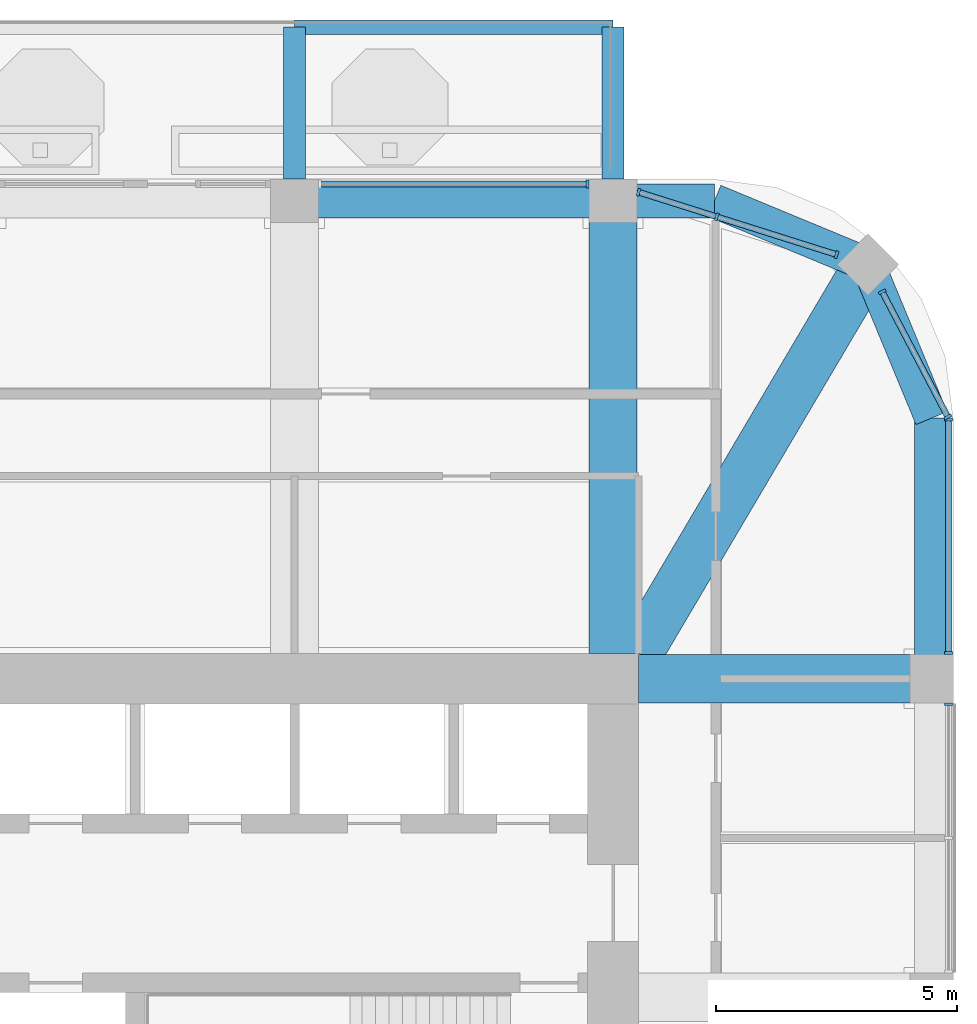
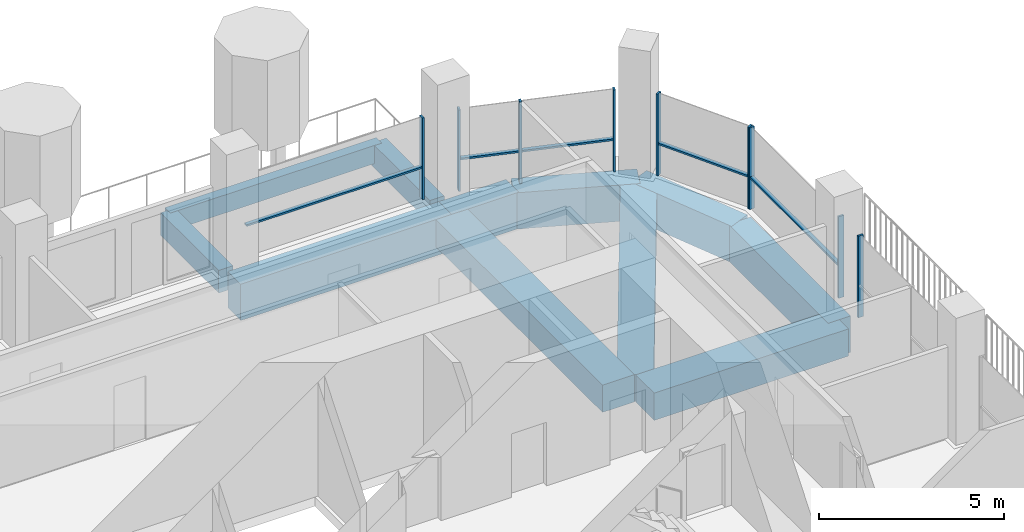
# One storey, part 7 of 21: 14 members, 11 beams, 5 elements without a shape of their own.
"""IFC4 building model written with IfcOpenShell, lengths in metres."""

from ifc_helpers import new_model, si_unit, direction, frame, origin, origin_2d, place, context, subcontext, project, spatial, rectangle, extrude, material, material_profile, profile_set, type_object, element, aggregate, save


model = new_model("IFC4")

# Units and contexts
model_context = context("Model", 3, precision=1e-05, world=origin(), true_north=direction((0.0, 1.0)))
body_context = subcontext(model_context, "Body", "Model", "MODEL_VIEW")
ifc_project = project(units=[si_unit("LENGTHUNIT", "METRE"), si_unit("AREAUNIT", "SQUARE_METRE"), si_unit("VOLUMEUNIT", "CUBIC_METRE"), si_unit("PLANEANGLEUNIT", "RADIAN"), si_unit("MASSUNIT", "GRAM", prefix="KILO")], contexts=[model_context])

# Site, building, storey
site_placement = place(None, origin())
site = spatial("IfcSite", under=ifc_project, at=site_placement, CompositionType="ELEMENT")
building_placement = place(site_placement, origin())
building = spatial("IfcBuilding", under=site, at=building_placement, Name="Cobogo Forest Laboratory Tower", CompositionType="ELEMENT")
storey_placement = place(building_placement, frame((0.0, 0.0, 275.39990234375)))
storey = spatial("IfcBuildingStorey", under=building, at=storey_placement, Name="L63", CompositionType="ELEMENT", Elevation=275.39990234375)

# Beams
ifc_material_1 = material(Name="Concrete HA-40 (C40/50)", Category="concrete")
ifc_material_profile_1 = material_profile(ifc_material_1, rectangle(XDim=0.449951171875, YDim=0.75, at=origin_2d()), Name="RC 450x750")
ifc_profile_set_1 = profile_set([ifc_material_profile_1], Name="Concrete HA-40 (C40/50)")
beam_type_1 = type_object("IfcBeamType", Name="Balcony cantilever beam 450x750", PredefinedType="BEAM", material=ifc_profile_set_1)
for number, where, z_axis, x_axis, name in (
    (1, (33.0, 43.35009765625, -0.625), (0.0, 1.0, 0.0), (-1.0, 0.0, 0.0), "CB1 BAL-N1-C2 L63"),
    (2, (39.60009765625, 43.35009765625, -0.625), (0.0, 1.0, 0.0), (-1.0, 0.0, 0.0), "CB1 BAL-N1-C3 L63"),
):
    element("IfcBeam", number, at=place(storey_placement, frame(where, z_axis=z_axis, x_axis=x_axis)), inside=storey, type_object=beam_type_1, Name=name, PredefinedType="BEAM", context=body_context, shape_type="SweptSolid", body=[
        extrude(rectangle(XDim=0.449951171875, YDim=0.75, at=origin_2d()), origin(), (0.0, 0.0, 1.0), 3.14990234375),
    ])
ifc_material_profile_2 = material_profile(ifc_material_1, rectangle(XDim=0.300048828125, YDim=0.60009765625, at=origin_2d()), Name="RC 300x600")
ifc_profile_set_2 = profile_set([ifc_material_profile_2], Name="Concrete HA-40 (C40/50)")
beam_type_2 = type_object("IfcBeamType", Name="Balcony edge beam 300x600", PredefinedType="BEAM", material=ifc_profile_set_2)
beam_1_placement = place(storey_placement, frame((33.0, 46.5, -0.5498046875), z_axis=(1.0, 0.0, 0.0), x_axis=(0.0, 1.0, 0.0)))
element("IfcBeam", 3, at=beam_1_placement, inside=storey, type_object=beam_type_2, Name="BB1 BAL-N1-T2 L63", PredefinedType="BEAM", context=body_context, shape_type="SweptSolid", body=[
    extrude(rectangle(XDim=0.300048828125, YDim=0.60009765625, at=origin_2d()), origin(), (0.0, 0.0, 1.0), 6.60009765625),
])

# Curtain wall, member
ifc_material_2 = material(Name="Aluminium curtain wall", Category="aluminium")
curtain_wall_type = type_object("IfcCurtainWallType", Name="CW-2 unitised curtain wall, solar control glazing, laboratory floors zones C and D", PredefinedType="USERDEFINED", material=ifc_material_2)
curtain_wall_1_placement = place(storey_placement, origin())
curtain_wall_1 = element("IfcCurtainWall", 4, at=curtain_wall_1_placement, inside=storey, type_object=curtain_wall_type, Name="Curtain wall 10 L63", ObjectType="UNITISED CURTAIN WALL", PredefinedType="USERDEFINED")
ifc_material_3 = material(Name="Aluminium mullion", Category="aluminium")
ifc_material_profile_3 = material_profile(ifc_material_3, rectangle(XDim=0.06005859375, YDim=0.159912109375, at=origin_2d()), Name="AL 60x160")
ifc_profile_set_3 = profile_set([ifc_material_profile_3], Name="Aluminium mullion")
member_type_1 = type_object("IfcMemberType", Name="MU-1 aluminium mullion 60x160", PredefinedType="MULLION", material=ifc_profile_set_3)
member_1_placement = place(storey_placement, frame((46.550048828125, 32.469970703125, 0.0), z_axis=(0.0, 0.0, 1.0), x_axis=(0.0, 1.0, 0.0)))
member_1 = element("IfcMember", 5, at=member_1_placement, type_object=member_type_1, Name="CW-2 mullion 3", PredefinedType="MULLION", context=body_context, shape_type="SweptSolid", body=[
    extrude(rectangle(XDim=0.06005859375, YDim=0.159912109375, at=origin_2d()), origin(), (0.0, 0.0, 1.0), 2.7001953125),
])
aggregate(curtain_wall_1, [member_1])

# Curtain wall, members
curtain_wall_2_placement = place(storey_placement, origin())
curtain_wall_2 = element("IfcCurtainWall", 6, at=curtain_wall_2_placement, inside=storey, type_object=curtain_wall_type, Name="Curtain wall 11 L63", ObjectType="UNITISED CURTAIN WALL", PredefinedType="USERDEFINED")
member_2_placement = place(storey_placement, frame((46.550048828125, 33.530029296875, 0.0), z_axis=(0.0, 0.0, 1.0), x_axis=(0.0, 1.0, 0.0)))
member_2 = element("IfcMember", 7, at=member_2_placement, type_object=member_type_1, Name="CW-2 mullion 1", PredefinedType="MULLION", context=body_context, shape_type="SweptSolid", body=[
    extrude(rectangle(XDim=0.06005859375, YDim=0.159912109375, at=origin_2d()), origin(), (0.0, 0.0, 1.0), 2.7001953125),
])
member_3_placement = place(storey_placement, frame((46.550048828125, 38.3701171875, 0.0), z_axis=(0.0, 0.0, 1.0), x_axis=(0.0, 1.0, 0.0)))
member_3 = element("IfcMember", 8, at=member_3_placement, type_object=member_type_1, Name="CW-2 mullion 2", PredefinedType="MULLION", context=body_context, shape_type="SweptSolid", body=[
    extrude(rectangle(XDim=0.06005859375, YDim=0.159912109375, at=origin_2d()), origin(), (0.0, 0.0, 1.0), 2.7001953125),
])

curtain_wall_3_placement = place(storey_placement, origin())
curtain_wall_3 = element("IfcCurtainWall", 9, at=curtain_wall_3_placement, inside=storey, type_object=curtain_wall_type, Name="Curtain wall 12 L63", ObjectType="UNITISED CURTAIN WALL", PredefinedType="USERDEFINED")
member_4_placement = place(storey_placement, frame((46.5361328125, 38.426513671875, 0.0), z_axis=(0.0, 0.0, 1.0), x_axis=(-0.464283778337, 0.885686498245, 0.0)))
member_4 = element("IfcMember", 10, at=member_4_placement, type_object=member_type_1, Name="CW-2 mullion 1", PredefinedType="MULLION", context=body_context, shape_type="SweptSolid", body=[
    extrude(rectangle(XDim=0.06005859375, YDim=0.159912109375, at=origin_2d()), origin(), (0.0, 0.0, 1.0), 2.7001953125),
])
member_5_placement = place(storey_placement, frame((45.177978515625, 41.017333984375, 0.0), z_axis=(0.0, 0.0, 1.0), x_axis=(-0.464283778337, 0.885686498245, 0.0)))
member_5 = element("IfcMember", 11, at=member_5_placement, type_object=member_type_1, Name="CW-2 mullion 2", PredefinedType="MULLION", context=body_context, shape_type="SweptSolid", body=[
    extrude(rectangle(XDim=0.06005859375, YDim=0.159912109375, at=origin_2d()), origin(), (0.0, 0.0, 1.0), 2.7001953125),
])

curtain_wall_4_placement = place(storey_placement, origin())
curtain_wall_4 = element("IfcCurtainWall", 12, at=curtain_wall_4_placement, inside=storey, type_object=curtain_wall_type, Name="Curtain wall 13 L63", ObjectType="UNITISED CURTAIN WALL", PredefinedType="USERDEFINED")
member_6_placement = place(storey_placement, frame((44.22998046875, 41.787841796875, 0.0), z_axis=(0.0, 0.0, 1.0), x_axis=(-0.953581379409, 0.301135439371, 0.0)))
member_6 = element("IfcMember", 13, at=member_6_placement, type_object=member_type_1, Name="CW-2 mullion 1", PredefinedType="MULLION", context=body_context, shape_type="SweptSolid", body=[
    extrude(rectangle(XDim=0.06005859375, YDim=0.159912109375, at=origin_2d()), origin(), (0.0, 0.0, 1.0), 2.7001953125),
])
member_7_placement = place(storey_placement, frame((41.7490234375, 42.5712890625, 0.0), z_axis=(0.0, 0.0, 1.0), x_axis=(-0.953581379409, 0.301135439371, 0.0)))
member_7 = element("IfcMember", 14, at=member_7_placement, type_object=member_type_1, Name="CW-2 mullion 2", PredefinedType="MULLION", context=body_context, shape_type="SweptSolid", body=[
    extrude(rectangle(XDim=0.06005859375, YDim=0.159912109375, at=origin_2d()), origin(), (0.0, 0.0, 1.0), 2.7001953125),
])
member_8_placement = place(storey_placement, frame((40.128662109375, 43.0830078125, 0.0), z_axis=(0.0, 0.0, 1.0), x_axis=(-0.953581379409, 0.301135439371, 0.0)))
member_8 = element("IfcMember", 15, at=member_8_placement, type_object=member_type_1, Name="CW-2 mullion 3", PredefinedType="MULLION", context=body_context, shape_type="SweptSolid", body=[
    extrude(rectangle(XDim=0.06005859375, YDim=0.159912109375, at=origin_2d()), origin(), (0.0, 0.0, 1.0), 2.7001953125),
])

# Curtain wall, member
curtain_wall_5_placement = place(storey_placement, origin())
curtain_wall_5 = element("IfcCurtainWall", 16, at=curtain_wall_5_placement, inside=storey, type_object=curtain_wall_type, Name="Curtain wall 14 L63", ObjectType="UNITISED CURTAIN WALL", PredefinedType="USERDEFINED")
member_9_placement = place(storey_placement, frame((39.070068359375, 43.25, 0.0), z_axis=(0.0, 0.0, 1.0), x_axis=(-1.0, 0.0, 0.0)))
member_9 = element("IfcMember", 17, at=member_9_placement, type_object=member_type_1, Name="CW-2 mullion 1", PredefinedType="MULLION", context=body_context, shape_type="SweptSolid", body=[
    extrude(rectangle(XDim=0.06005859375, YDim=0.159912109375, at=origin_2d()), origin(), (0.0, 0.0, 1.0), 2.7001953125),
])

# Beams
ifc_material_profile_4 = material_profile(ifc_material_1, rectangle(XDim=1.0, YDim=0.89990234375, at=origin_2d()), Name="RC 1000x900")
ifc_profile_set_4 = profile_set([ifc_material_profile_4], Name="Concrete HA-40 (C40/50)")
beam_type_3 = type_object("IfcBeamType", Name="Office floor wide beam 1000x900", PredefinedType="BEAM", material=ifc_profile_set_4)
beam_2_placement = place(storey_placement, frame((39.60009765625, 33.52490234375, -0.75), z_axis=(0.0, 1.0, 0.0), x_axis=(-1.0, 0.0, 0.0)))
element("IfcBeam", 18, at=beam_2_placement, inside=storey, type_object=beam_type_3, Name="RB2 R-7-N L63", PredefinedType="BEAM", context=body_context, shape_type="SweptSolid", body=[
    extrude(rectangle(XDim=1.0, YDim=0.89990234375, at=origin_2d()), origin(), (0.0, 0.0, 1.0), 9.375),
])
beam_3_placement = place(storey_placement, frame((40.125, 33.0, -0.75), z_axis=(1.0, 0.0, 0.0), x_axis=(0.0, 1.0, 0.0)))
element("IfcBeam", 19, at=beam_3_placement, inside=storey, type_object=beam_type_3, Name="RB2 R-F-E L63", PredefinedType="BEAM", context=body_context, shape_type="SweptSolid", body=[
    extrude(rectangle(XDim=1.0, YDim=0.89990234375, at=origin_2d()), origin(), (0.0, 0.0, 1.0), 6.074951171875),
])
beam_4_placement = place(storey_placement, frame((44.882080078125, 41.58203125, -0.75), z_axis=(-0.508416325908, -0.861111397875, 0.0), x_axis=(0.861111397875, -0.508416325908, 0.0)))
element("IfcBeam", 20, at=beam_4_placement, inside=storey, type_object=beam_type_3, Name="RB2 G-NE-D1 L63", PredefinedType="BEAM", context=body_context, shape_type="SweptSolid", body=[
    extrude(rectangle(XDim=1.0, YDim=0.89990234375, at=origin_2d()), origin(), (0.0, 0.0, 1.0), 9.356689453125),
])
ifc_material_profile_5 = material_profile(ifc_material_1, rectangle(XDim=0.699951171875, YDim=1.199951171875, at=origin_2d()), Name="RC 700x1200")
ifc_profile_set_5 = profile_set([ifc_material_profile_5], Name="Concrete HA-40 (C40/50)")
beam_type_4 = type_object("IfcBeamType", Name="Perimeter edge beam 700x1200", PredefinedType="BEAM", material=ifc_profile_set_5)
beam_5_placement = place(storey_placement, frame((33.0, 42.89990234375, -0.89990234375), z_axis=(1.0, 0.0, 0.0), x_axis=(0.0, 1.0, 0.0)))
element("IfcBeam", 21, at=beam_5_placement, inside=storey, type_object=beam_type_4, Name="EB1 E-N4 L63", PredefinedType="BEAM", context=body_context, shape_type="SweptSolid", body=[
    extrude(rectangle(XDim=0.699951171875, YDim=1.199951171875, at=origin_2d()), origin(), (0.0, 0.0, 1.0), 6.60009765625),
])
beam_6_placement = place(storey_placement, frame((46.199951171875, 33.0, -0.89990234375), z_axis=(0.0, 1.0, 0.0), x_axis=(-1.0, 0.0, 0.0)))
element("IfcBeam", 22, at=beam_6_placement, inside=storey, type_object=beam_type_4, Name="EB1 E-NEE1 L63", PredefinedType="BEAM", context=body_context, shape_type="SweptSolid", body=[
    extrude(rectangle(XDim=0.699951171875, YDim=1.199951171875, at=origin_2d()), origin(), (0.0, 0.0, 1.0), 5.39990234375),
])
beam_7_placement = place(storey_placement, frame((46.199951171875, 38.39990234375, -0.89990234375), z_axis=(-0.382631424892, 0.923901072997, 0.0), x_axis=(-0.923901072997, -0.382631424892, 0.0)))
element("IfcBeam", 23, at=beam_7_placement, inside=storey, type_object=beam_type_4, Name="EB1 E-NEE2 L63", PredefinedType="BEAM", context=body_context, shape_type="SweptSolid", body=[
    extrude(rectangle(XDim=0.699951171875, YDim=1.199951171875, at=origin_2d()), origin(), (0.0, 0.0, 1.0), 3.4443359375),
])
beam_8_placement = place(storey_placement, frame((39.60009765625, 42.89990234375, -0.89990234375), z_axis=(1.0, 0.0, 0.0), x_axis=(0.0, 1.0, 0.0)))
element("IfcBeam", 24, at=beam_8_placement, inside=storey, type_object=beam_type_4, Name="EB1 E-NEN1 L63", PredefinedType="BEAM", context=body_context, shape_type="SweptSolid", body=[
    extrude(rectangle(XDim=0.699951171875, YDim=1.199951171875, at=origin_2d()), origin(), (0.0, 0.0, 1.0), 2.099853515625),
])
beam_9_placement = place(storey_placement, frame((41.699951171875, 42.89990234375, -0.89990234375), z_axis=(0.923901072997, -0.382631424892, 0.0), x_axis=(0.382631424892, 0.923901072997, 0.0)))
element("IfcBeam", 25, at=beam_9_placement, inside=storey, type_object=beam_type_4, Name="EB1 E-NEN2 L63", PredefinedType="BEAM", context=body_context, shape_type="SweptSolid", body=[
    extrude(rectangle(XDim=0.699951171875, YDim=1.199951171875, at=origin_2d()), origin(), (0.0, 0.0, 1.0), 3.4443359375),
])

# Member
ifc_material_4 = material(Name="Aluminium transom", Category="aluminium")
ifc_material_profile_6 = material_profile(ifc_material_4, rectangle(XDim=0.1201171875, YDim=0.06005859375, at=origin_2d()), Name="AL 60x120")
ifc_profile_set_6 = profile_set([ifc_material_profile_6], Name="Aluminium transom")
member_type_2 = type_object("IfcMemberType", Name="TR-1 aluminium transom 60x120", PredefinedType="USERDEFINED", material=ifc_profile_set_6)
member_10_placement = place(storey_placement, frame((46.550048828125, 33.56005859375, 1.050048828125), z_axis=(0.0, 1.0, 0.0), x_axis=(-1.0, 0.0, 0.0)))
member_10 = element("IfcMember", 26, at=member_10_placement, type_object=member_type_2, Name="CW-2 transom 1.1", ObjectType="TRANSOM", PredefinedType="USERDEFINED", context=body_context, shape_type="SweptSolid", body=[
    extrude(rectangle(XDim=0.1201171875, YDim=0.06005859375, at=origin_2d()), origin(), (0.0, 0.0, 1.0), 4.780029296875),
])

aggregate(curtain_wall_2, [member_2, member_3, member_10])

member_11_placement = place(storey_placement, frame((46.522216796875, 38.453125, 1.050048828125), z_axis=(-0.46430944806, 0.885673041501, 0.0), x_axis=(-0.885673041501, -0.46430944806, 0.0)))
member_11 = element("IfcMember", 27, at=member_11_placement, type_object=member_type_2, Name="CW-2 transom 1.1", ObjectType="TRANSOM", PredefinedType="USERDEFINED", context=body_context, shape_type="SweptSolid", body=[
    extrude(rectangle(XDim=0.1201171875, YDim=0.06005859375, at=origin_2d()), origin(), (0.0, 0.0, 1.0), 2.865234375),
])

aggregate(curtain_wall_3, [member_4, member_5, member_11])

member_12_placement = place(storey_placement, frame((44.201416015625, 41.796875, 1.050048828125), z_axis=(-0.953587019958, 0.301117577314, 0.0), x_axis=(-0.301117577314, -0.953587019958, 0.0)))
member_12 = element("IfcMember", 28, at=member_12_placement, type_object=member_type_2, Name="CW-2 transom 1.1", ObjectType="TRANSOM", PredefinedType="USERDEFINED", context=body_context, shape_type="SweptSolid", body=[
    extrude(rectangle(XDim=0.1201171875, YDim=0.06005859375, at=origin_2d()), origin(), (0.0, 0.0, 1.0), 2.541748046875),
])

member_13_placement = place(storey_placement, frame((41.720458984375, 42.580322265625, 1.050048828125), z_axis=(-0.953582665134, 0.301131367937, 0.0), x_axis=(-0.301131367937, -0.953582665134, 0.0)))
member_13 = element("IfcMember", 29, at=member_13_placement, type_object=member_type_2, Name="CW-2 transom 2.1", ObjectType="TRANSOM", PredefinedType="USERDEFINED", context=body_context, shape_type="SweptSolid", body=[
    extrude(rectangle(XDim=0.1201171875, YDim=0.06005859375, at=origin_2d()), origin(), (0.0, 0.0, 1.0), 1.639404296875),
])

aggregate(curtain_wall_4, [member_6, member_7, member_8, member_12, member_13])

member_14_placement = place(storey_placement, frame((39.0400390625, 43.25, 1.050048828125), z_axis=(-1.0, 0.0, 0.0), x_axis=(0.0, -1.0, 0.0)))
member_14 = element("IfcMember", 30, at=member_14_placement, type_object=member_type_2, Name="CW-2 transom 1.1", ObjectType="TRANSOM", PredefinedType="USERDEFINED", context=body_context, shape_type="SweptSolid", body=[
    extrude(rectangle(XDim=0.1201171875, YDim=0.06005859375, at=origin_2d()), origin(), (0.0, 0.0, 1.0), 5.47998046875),
])

aggregate(curtain_wall_5, [member_9, member_14])

save(model, "model.ifc")
